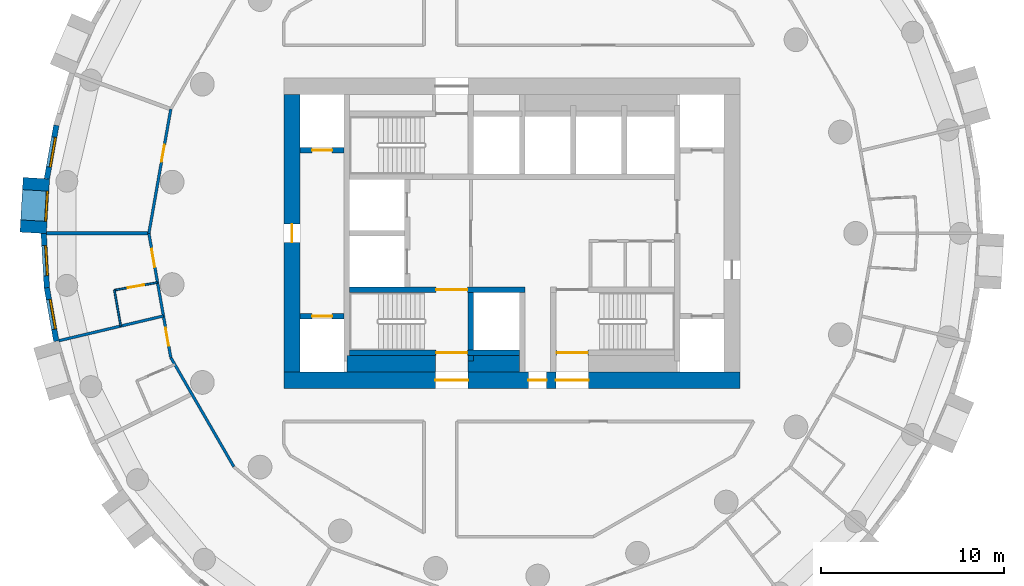
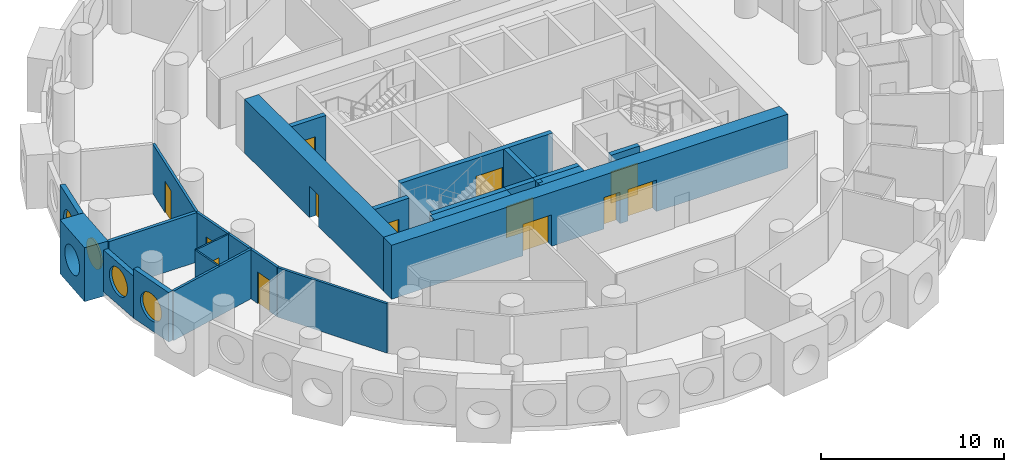
# One storey, part 3 of 9: 23 walls, 13 doors, 4 windows, 17 openings.
"""IFC4 building model written with IfcOpenShell, lengths in metres."""

from ifc_helpers import new_model, si_unit, direction, frame, frame_2d, origin, origin_2d, place, context, subcontext, project, spatial, rectangle, circle, extrude, material, layer, layer_set, type_object, element, fill, save


model = new_model("IFC4")

# Units and contexts
model_context = context("Model", 3, precision=1e-05, world=origin(), true_north=direction((0.0, 1.0)))
body_context = subcontext(model_context, "Body", "Model", "MODEL_VIEW")
ifc_project = project(units=[si_unit("LENGTHUNIT", "METRE"), si_unit("AREAUNIT", "SQUARE_METRE"), si_unit("VOLUMEUNIT", "CUBIC_METRE"), si_unit("PLANEANGLEUNIT", "RADIAN"), si_unit("MASSUNIT", "GRAM", prefix="KILO")], contexts=[model_context])

# Site, building, storey
site_placement = place(None, origin())
site = spatial("IfcSite", under=ifc_project, at=site_placement, CompositionType="ELEMENT")
building_placement = place(site_placement, origin())
building = spatial("IfcBuilding", under=site, at=building_placement, Name="Tracery Tower", CompositionType="ELEMENT")
storey_placement = place(building_placement, frame((0.0, 0.0, 190.800048828125)))
storey = spatial("IfcBuildingStorey", under=building, at=storey_placement, Name="L49", CompositionType="ELEMENT", Elevation=190.800048828125)

# Walls
ifc_material_1 = material(Name="Concrete C50/60", Category="concrete")
ifc_layer_1 = layer(ifc_material_1, 0.89990234375)
ifc_layer_set_1 = layer_set([ifc_layer_1], Name="Core strip wall 900 C50")
wall_type_1 = type_object("IfcWallType", Name="Core strip wall 900 C50", PredefinedType="SOLIDWALL", material=ifc_layer_set_1)
wall_1_placement = place(storey_placement, frame((-9.050048828125, -7.14990234375, 0.0), z_axis=(0.0, 0.0, 1.0), x_axis=(1.0, 0.0, 0.0)))
element("IfcWall", 1, at=wall_1_placement, inside=storey, type_object=wall_type_1, Name="L49 F thick S W", PredefinedType="SOLIDWALL", context=body_context, shape_type="SweptSolid", body=[
    extrude(rectangle(XDim=4.85009765625, YDim=0.89990234375, at=frame_2d((2.425048828125, 0.0))), origin(), (0.0, 0.0, 1.0), 3.300048828125),
])
wall_2_placement = place(storey_placement, frame((-2.39990234375, -7.14990234375, 0.0), z_axis=(0.0, 0.0, 1.0), x_axis=(1.0, 0.0, 0.0)))
element("IfcWall", 2, at=wall_2_placement, inside=storey, type_object=wall_type_1, Name="L49 F thick S mid", PredefinedType="SOLIDWALL", context=body_context, shape_type="SweptSolid", body=[
    extrude(rectangle(XDim=2.7998046875, YDim=0.89990234375, at=frame_2d((1.39990234375, 0.0))), origin(), (0.0, 0.0, 1.0), 3.300048828125),
])

# Wall, openings, doors
ifc_material_2 = material(Name="Concrete C50/60", Category="concrete")
ifc_layer_2 = layer(ifc_material_2, 0.89990234375)
ifc_layer_set_2 = layer_set([ifc_layer_2], Name="Core wall 900 C50")
wall_type_2 = type_object("IfcWallType", Name="Core wall 900 C50", PredefinedType="SOLIDWALL", material=ifc_layer_set_2)
wall_3_placement = place(storey_placement, frame((-12.5, -8.050048828125, 0.0), z_axis=(0.0, 0.0, 1.0), x_axis=(1.0, 0.0, 0.0)))
wall_3 = element("IfcWall", 3, at=wall_3_placement, inside=storey, type_object=wall_type_2, Name="L49 outer S", PredefinedType="SOLIDWALL", context=body_context, shape_type="SweptSolid", body=[
    extrude(rectangle(XDim=25.0, YDim=0.89990234375, at=frame_2d((12.5, 0.0))), origin(), (0.0, 0.0, 1.0), 3.599853515625),
])
opening_1_placement = place(wall_3_placement, frame((13.39990234375, 0.0, 0.0)))
opening_1 = element("IfcOpeningElement", 4, at=opening_1_placement, cuts=wall_3, Name="Opening KD16", PredefinedType="OPENING", context=body_context, shape_type="SweptSolid", body=[
    extrude(rectangle(XDim=1.0, YDim=2.10009765625, at=frame_2d((0.5, 1.050048828125))), frame((0.0, 0.449951171875, 0.0), z_axis=(0.0, -1.0, 0.0), x_axis=(1.0, 0.0, 0.0)), (0.0, 0.0, 1.0), 0.89990234375),
])
opening_2_placement = place(wall_3_placement, frame((8.300048828125, 0.0, 0.0)))
opening_2 = element("IfcOpeningElement", 5, at=opening_2_placement, cuts=wall_3, Name="Opening KD13", PredefinedType="OPENING", context=body_context, shape_type="SweptSolid", body=[
    extrude(rectangle(XDim=1.800048828125, YDim=2.10009765625, at=frame_2d((0.89990234375, 1.050048828125))), frame((0.0, 0.449951171875, 0.0), z_axis=(0.0, -1.0, 0.0), x_axis=(1.0, 0.0, 0.0)), (0.0, 0.0, 1.0), 0.89990234375),
])
opening_3_placement = place(wall_3_placement, frame((14.89990234375, 0.0, 0.0)))
opening_3 = element("IfcOpeningElement", 6, at=opening_3_placement, cuts=wall_3, Name="Opening KD13", PredefinedType="OPENING", context=body_context, shape_type="SweptSolid", body=[
    extrude(rectangle(XDim=1.800048828125, YDim=2.10009765625, at=frame_2d((0.89990234375, 1.050048828125))), frame((0.0, 0.449951171875, 0.0), z_axis=(0.0, -1.0, 0.0), x_axis=(1.0, 0.0, 0.0)), (0.0, 0.0, 1.0), 0.89990234375),
])
ifc_material_3 = material(Name="Steel fire door", Category="steel")
door_type_1 = type_object("IfcDoorType", Name="Core exit door 1000", OperationType="NOTDEFINED", PredefinedType="DOOR", material=ifc_material_3)
door_1_placement = place(opening_1_placement, origin())
door_1 = element("IfcDoor", 7, at=door_1_placement, inside=storey, type_object=door_type_1, Name="Core exit door", OperationType="SINGLE_SWING_LEFT", OverallHeight=2.10009765625, OverallWidth=1.0, PredefinedType="DOOR", context=body_context, shape_type="SweptSolid", body=[
    extrude(rectangle(XDim=1.0, YDim=2.10009765625, at=frame_2d((0.5, 1.050048828125))), frame((0.0, 0.02490234375, 0.0), z_axis=(0.0, -1.0, 0.0), x_axis=(1.0, 0.0, 0.0)), (0.0, 0.0, 1.0), 0.050048828125),
])
fill(opening_1, door_1)
ifc_material_4 = material(Name="Steel fire door", Category="steel")
door_type_2 = type_object("IfcDoorType", Name="Core exit door 1800 double", OperationType="NOTDEFINED", PredefinedType="DOOR", material=ifc_material_4)
door_2_placement = place(opening_2_placement, origin())
door_2 = element("IfcDoor", 8, at=door_2_placement, inside=storey, type_object=door_type_2, Name="Core exit door", OperationType="DOUBLE_DOOR_SINGLE_SWING", OverallHeight=2.10009765625, OverallWidth=1.800048828125, PredefinedType="DOOR", context=body_context, shape_type="SweptSolid", body=[
    extrude(rectangle(XDim=1.800048828125, YDim=2.10009765625, at=frame_2d((0.89990234375, 1.050048828125))), frame((0.0, 0.02490234375, 0.0), z_axis=(0.0, -1.0, 0.0), x_axis=(1.0, 0.0, 0.0)), (0.0, 0.0, 1.0), 0.050048828125),
])
fill(opening_2, door_2)
door_3_placement = place(opening_3_placement, origin())
door_3 = element("IfcDoor", 9, at=door_3_placement, inside=storey, type_object=door_type_2, Name="Core exit door", OperationType="DOUBLE_DOOR_SINGLE_SWING", OverallHeight=2.10009765625, OverallWidth=1.800048828125, PredefinedType="DOOR", context=body_context, shape_type="SweptSolid", body=[
    extrude(rectangle(XDim=1.800048828125, YDim=2.10009765625, at=frame_2d((0.89990234375, 1.050048828125))), frame((0.0, 0.02490234375, 0.0), z_axis=(0.0, -1.0, 0.0), x_axis=(1.0, 0.0, 0.0)), (0.0, 0.0, 1.0), 0.050048828125),
])
fill(opening_3, door_3)

# Wall, opening, door
wall_4_placement = place(storey_placement, frame((-12.050048828125, -7.60009765625, 0.0), z_axis=(0.0, 0.0, 1.0), x_axis=(0.0, 1.0, 0.0)))
wall_4 = element("IfcWall", 10, at=wall_4_placement, inside=storey, type_object=wall_type_2, Name="L49 outer W", PredefinedType="SOLIDWALL", context=body_context, shape_type="SweptSolid", body=[
    extrude(rectangle(XDim=15.2001953125, YDim=0.89990234375, at=frame_2d((7.60009765625, 0.0))), origin(), (0.0, 0.0, 1.0), 3.599853515625),
])
opening_4_placement = place(wall_4_placement, frame((7.10009765625, 0.0, 0.0)))
opening_4 = element("IfcOpeningElement", 11, at=opening_4_placement, cuts=wall_4, Name="Opening KD18", PredefinedType="OPENING", context=body_context, shape_type="SweptSolid", body=[
    extrude(rectangle(XDim=1.0, YDim=2.10009765625, at=frame_2d((0.5, 1.050048828125))), frame((0.0, 0.449951171875, 0.0), z_axis=(0.0, -1.0, 0.0), x_axis=(1.0, 0.0, 0.0)), (0.0, 0.0, 1.0), 0.89990234375),
])
door_4_placement = place(opening_4_placement, origin())
door_4 = element("IfcDoor", 12, at=door_4_placement, inside=storey, type_object=door_type_1, Name="Core exit door", OperationType="DOUBLE_DOOR_SINGLE_SWING", OverallHeight=2.10009765625, OverallWidth=1.0, PredefinedType="DOOR", context=body_context, shape_type="SweptSolid", body=[
    extrude(rectangle(XDim=1.0, YDim=2.10009765625, at=frame_2d((0.5, 1.050048828125))), frame((0.0, 0.02490234375, 0.0), z_axis=(0.0, -1.0, 0.0), x_axis=(1.0, 0.0, 0.0)), (0.0, 0.0, 1.0), 0.050048828125),
])
fill(opening_4, door_4)

# Wall, opening, window
ifc_material_5 = material(Name="Precast concrete C50/60", Category="concrete")
ifc_layer_3 = layer(ifc_material_5, 1.449951171875)
ifc_layer_set_3 = layer_set([ifc_layer_3], Name="Deep-set bay unit 3000 x 3600, slab edge 300")
wall_type_3 = type_object("IfcWallType", Name="Deep-set bay unit 3000 x 3600, slab edge 300", PredefinedType="ELEMENTEDWALL", material=ifc_layer_set_3)
wall_5_placement = place(storey_placement, frame((-26.047607421875, 3.01953125, -0.300048828125), z_axis=(0.0, 0.0, 1.0), x_axis=(-0.058106596105, -0.998310384344, 0.0)))
wall_5 = element("IfcWall", 13, at=wall_5_placement, inside=storey, type_object=wall_type_3, Name="Deep-set bay unit 27 at L49", PredefinedType="ELEMENTEDWALL", context=body_context, shape_type="SweptSolid", body=[
    extrude(rectangle(XDim=3.0, YDim=1.449951171875, at=frame_2d((1.5, 0.0))), origin(), (0.0, 0.0, 1.0), 3.60009765625),
])
opening_5_placement = place(wall_5_placement, frame((1.5, 0.0, 1.85009765625)))
opening_5 = element("IfcOpeningElement", 14, at=opening_5_placement, cuts=wall_5, Name="Opening WN1", PredefinedType="OPENING", context=body_context, shape_type="SweptSolid", body=[
    extrude(circle(Radius=0.9000244140625, at=origin_2d()), frame((0.0, 0.73486328125, 0.0), z_axis=(0.0, -1.0, 0.0), x_axis=(1.0, 0.0, 0.0)), (0.0, 0.0, 1.0), 1.469970703125),
])
ifc_material_6 = material(Name="Aluminium frame with tinted double glazing", Category="aluminium")
window_type = type_object("IfcWindowType", Name="Round window 1800", PartitioningType="SINGLE_PANEL", PredefinedType="WINDOW", material=ifc_material_6)
window_1_placement = place(opening_5_placement, origin())
window_1 = element("IfcWindow", 15, at=window_1_placement, inside=storey, type_object=window_type, Name="Round window 27 at L49", OverallHeight=1.800048828125, OverallWidth=1.800048828125, PartitioningType="SINGLE_PANEL", PredefinedType="WINDOW", context=body_context, shape_type="SweptSolid", body=[
    extrude(circle(Radius=0.9000244140625, at=origin_2d()), frame((0.0, 0.69482421875, 0.0), z_axis=(0.0, -1.0, 0.0), x_axis=(1.0, 0.0, 0.0)), (0.0, 0.0, 1.0), 0.10009765625),
])
fill(opening_5, window_1)

ifc_material_7 = material(Name="Precast concrete C50/60", Category="concrete")
ifc_layer_4 = layer(ifc_material_7, 0.300048828125)
ifc_layer_set_4 = layer_set([ifc_layer_4], Name="Facade panel 3000 x 2800")
wall_type_4 = type_object("IfcWallType", Name="Facade panel 3000 x 2800", PredefinedType="SOLIDWALL", material=ifc_layer_set_4)
wall_6_placement = place(storey_placement, frame((-25.64697265625, -0.009521484375, 0.0), z_axis=(0.0, 0.0, 1.0), x_axis=(0.058139540521, -0.998308466271, 0.0)))
wall_6 = element("IfcWall", 16, at=wall_6_placement, inside=storey, type_object=wall_type_4, Name="Facade panel 28 at L49", PredefinedType="SOLIDWALL", context=body_context, shape_type="SweptSolid", body=[
    extrude(rectangle(XDim=2.97314453125, YDim=0.300048828125, at=frame_2d((1.486572265625, 0.0))), origin(), (0.0, 0.0, 1.0), 2.800048828125),
])
opening_6_placement = place(wall_6_placement, frame((1.486328125, 0.0, 1.5498046875)))
opening_6 = element("IfcOpeningElement", 17, at=opening_6_placement, cuts=wall_6, Name="Opening WN1", PredefinedType="OPENING", context=body_context, shape_type="SweptSolid", body=[
    extrude(circle(Radius=0.9000244140625, at=origin_2d()), frame((0.0, 0.159912109375, 0.0), z_axis=(0.0, -1.0, 0.0), x_axis=(1.0, 0.0, 0.0)), (0.0, 0.0, 1.0), 0.320068359375),
])
window_2_placement = place(opening_6_placement, origin())
window_2 = element("IfcWindow", 18, at=window_2_placement, inside=storey, type_object=window_type, Name="Round window 28 at L49", OverallHeight=1.800048828125, OverallWidth=1.800048828125, PartitioningType="SINGLE_PANEL", PredefinedType="WINDOW", context=body_context, shape_type="SweptSolid", body=[
    extrude(circle(Radius=0.9000244140625, at=origin_2d()), frame((0.0, 0.1201171875, 0.0), z_axis=(0.0, -1.0, 0.0), x_axis=(1.0, 0.0, 0.0)), (0.0, 0.0, 1.0), 0.10009765625),
])
fill(opening_6, window_2)

ifc_material_8 = material(Name="Precast concrete C50/60", Category="concrete")
ifc_layer_5 = layer(ifc_material_8, 0.300048828125)
ifc_layer_set_5 = layer_set([ifc_layer_5], Name="Facade panel 3000 x 3300")
wall_type_5 = type_object("IfcWallType", Name="Facade panel 3000 x 3300", PredefinedType="SOLIDWALL", material=ifc_layer_set_5)
wall_7_placement = place(storey_placement, frame((-24.9560546875, 5.914794921875, 0.0), z_axis=(0.0, 0.0, 1.0), x_axis=(-0.173686952598, -0.984800915159, 0.0)))
wall_7 = element("IfcWall", 19, at=wall_7_placement, inside=storey, type_object=wall_type_5, Name="Facade panel 26 at L49", PredefinedType="SOLIDWALL", context=body_context, shape_type="SweptSolid", body=[
    extrude(rectangle(XDim=2.972900390625, YDim=0.300048828125, at=frame_2d((1.486328125, 0.0))), origin(), (0.0, 0.0, 1.0), 3.300048828125),
])
opening_7_placement = place(wall_7_placement, frame((1.486328125, 0.0, 1.5498046875)))
opening_7 = element("IfcOpeningElement", 20, at=opening_7_placement, cuts=wall_7, Name="Opening WN1", PredefinedType="OPENING", context=body_context, shape_type="SweptSolid", body=[
    extrude(circle(Radius=0.9000244140625, at=origin_2d()), frame((0.0, 0.159912109375, 0.0), z_axis=(0.0, -1.0, 0.0), x_axis=(1.0, 0.0, 0.0)), (0.0, 0.0, 1.0), 0.320068359375),
])
window_3_placement = place(opening_7_placement, origin())
window_3 = element("IfcWindow", 21, at=window_3_placement, inside=storey, type_object=window_type, Name="Round window 26 at L49", OverallHeight=1.800048828125, OverallWidth=1.800048828125, PartitioningType="SINGLE_PANEL", PredefinedType="WINDOW", context=body_context, shape_type="SweptSolid", body=[
    extrude(circle(Radius=0.9000244140625, at=origin_2d()), frame((0.0, 0.1201171875, 0.0), z_axis=(0.0, -1.0, 0.0), x_axis=(1.0, 0.0, 0.0)), (0.0, 0.0, 1.0), 0.10009765625),
])
fill(opening_7, window_3)

wall_8_placement = place(storey_placement, frame((-25.47412109375, -2.9775390625, 0.0), z_axis=(0.0, 0.0, 1.0), x_axis=(0.173686952598, -0.984800915159, 0.0)))
wall_8 = element("IfcWall", 22, at=wall_8_placement, inside=storey, type_object=wall_type_5, Name="Facade panel 29 at L49", PredefinedType="SOLIDWALL", context=body_context, shape_type="SweptSolid", body=[
    extrude(rectangle(XDim=2.972900390625, YDim=0.300048828125, at=frame_2d((1.486328125, 0.0))), origin(), (0.0, 0.0, 1.0), 3.300048828125),
])
opening_8_placement = place(wall_8_placement, frame((1.486328125, 0.0, 1.5498046875)))
opening_8 = element("IfcOpeningElement", 23, at=opening_8_placement, cuts=wall_8, Name="Opening WN1", PredefinedType="OPENING", context=body_context, shape_type="SweptSolid", body=[
    extrude(circle(Radius=0.9000244140625, at=origin_2d()), frame((0.0, 0.159912109375, 0.0), z_axis=(0.0, -1.0, 0.0), x_axis=(1.0, 0.0, 0.0)), (0.0, 0.0, 1.0), 0.320068359375),
])
window_4_placement = place(opening_8_placement, origin())
window_4 = element("IfcWindow", 24, at=window_4_placement, inside=storey, type_object=window_type, Name="Round window 29 at L49", OverallHeight=1.800048828125, OverallWidth=1.800048828125, PartitioningType="SINGLE_PANEL", PredefinedType="WINDOW", context=body_context, shape_type="SweptSolid", body=[
    extrude(circle(Radius=0.9000244140625, at=origin_2d()), frame((0.0, 0.1201171875, 0.0), z_axis=(0.0, -1.0, 0.0), x_axis=(1.0, 0.0, 0.0)), (0.0, 0.0, 1.0), 0.10009765625),
])
fill(opening_8, window_4)

# Wall, opening, door
ifc_material_9 = material(Name="Plasterboard on steel studs", Category="steel")
ifc_layer_6 = layer(ifc_material_9, 0.10009765625)
ifc_layer_set_6 = layer_set([ifc_layer_6], Name="Partition 100 wet wall")
wall_type_6 = type_object("IfcWallType", Name="Partition 100 wet wall", PredefinedType="PARTITIONING", material=ifc_layer_set_6)
wall_9_placement = place(storey_placement, frame((-21.77587890625, -3.111083984375, 0.0), z_axis=(0.0, 0.0, 1.0), x_axis=(0.984781509998, 0.173796943488, 0.0)))
wall_9 = element("IfcWall", 25, at=wall_9_placement, inside=storey, type_object=wall_type_6, Name="Wet wall RB7-049", PredefinedType="PARTITIONING", context=body_context, shape_type="SweptSolid", body=[
    extrude(rectangle(XDim=2.3994140625, YDim=0.10009765625, at=frame_2d((1.19970703125, 0.0))), origin(), (0.0, 0.0, 1.0), 3.300048828125),
])
opening_9_placement = place(wall_9_placement, frame((0.74951171875, 0.0, 0.0)))
opening_9 = element("IfcOpeningElement", 26, at=opening_9_placement, cuts=wall_9, Name="Opening RB7-12", PredefinedType="OPENING", context=body_context, shape_type="SweptSolid", body=[
    extrude(rectangle(XDim=0.89990234375, YDim=2.0400390625, at=frame_2d((0.449951171875, 1.02001953125))), frame((0.0, 0.050048828125, 0.0), z_axis=(0.0, -1.0, 0.0), x_axis=(1.0, 0.0, 0.0)), (0.0, 0.0, 1.0), 0.10009765625),
])
ifc_material_10 = material(Name="Timber door leaf", Category="wood")
door_type_3 = type_object("IfcDoorType", Name="Door en-suite 900", OperationType="NOTDEFINED", PredefinedType="DOOR", material=ifc_material_10)
door_5_placement = place(opening_9_placement, origin())
door_5 = element("IfcDoor", 27, at=door_5_placement, inside=storey, type_object=door_type_3, Name="En-suite door RB7-12", OperationType="SINGLE_SWING_RIGHT", OverallHeight=2.0400390625, OverallWidth=0.89990234375, PredefinedType="DOOR", context=body_context, shape_type="SweptSolid", body=[
    extrude(rectangle(XDim=0.89990234375, YDim=2.0400390625, at=frame_2d((0.449951171875, 1.02001953125))), frame((0.0, 0.02490234375, 0.0), z_axis=(0.0, -1.0, 0.0), x_axis=(1.0, 0.0, 0.0)), (0.0, 0.0, 1.0), 0.050048828125),
])
fill(opening_9, door_5)

# Walls
wall_10_placement = place(storey_placement, frame((-21.77587890625, -3.111083984375, 0.0), z_axis=(0.0, 0.0, 1.0), x_axis=(0.17360412522, -0.984815519631, 0.0)))
element("IfcWall", 28, at=wall_10_placement, inside=storey, type_object=wall_type_6, Name="Wet wall RB7-050", PredefinedType="PARTITIONING", context=body_context, shape_type="SweptSolid", body=[
    extrude(rectangle(XDim=1.998291015625, YDim=0.10009765625, at=frame_2d((0.9990234375, 0.0))), origin(), (0.0, 0.0, 1.0), 3.300048828125),
])
ifc_material_11 = material(Name="Plasterboard on steel studs", Category="steel")
ifc_layer_7 = layer(ifc_material_11, 0.14990234375)
ifc_layer_set_7 = layer_set([ifc_layer_7], Name="Partition 150 acoustic unit wall")
wall_type_7 = type_object("IfcWallType", Name="Partition 150 acoustic unit wall", PredefinedType="PARTITIONING", material=ifc_layer_set_7)
wall_11_placement = place(storey_placement, frame((-24.81005859375, -5.8798828125, 0.0), z_axis=(0.0, 0.0, 1.0), x_axis=(0.973072933953, 0.230497429938, 0.0)))
element("IfcWall", 29, at=wall_11_placement, inside=storey, type_object=wall_type_7, Name="Unit wall RB7-051", PredefinedType="PARTITIONING", context=body_context, shape_type="SweptSolid", body=[
    extrude(rectangle(XDim=5.87841796875, YDim=0.14990234375, at=frame_2d((2.939208984375, 0.0))), origin(), (0.0, 0.0, 1.0), 3.300048828125),
])

# Wall, opening, door
ifc_material_12 = material(Name="Plasterboard on steel studs", Category="steel")
ifc_layer_8 = layer(ifc_material_12, 0.14990234375)
ifc_layer_set_8 = layer_set([ifc_layer_8], Name="Partition 150 corridor wall")
wall_type_8 = type_object("IfcWallType", Name="Partition 150 corridor wall", PredefinedType="PARTITIONING", material=ifc_layer_set_8)
wall_12_placement = place(storey_placement, frame((-19.887939453125, 0.0, 0.0), z_axis=(0.0, 0.0, 1.0), x_axis=(0.173728873845, 0.98479352069, 0.0)))
wall_12 = element("IfcWall", 30, at=wall_12_placement, inside=storey, type_object=wall_type_8, Name="Corridor wall RB7-028", PredefinedType="PARTITIONING", context=body_context, shape_type="SweptSolid", body=[
    extrude(rectangle(XDim=6.906982421875, YDim=0.14990234375, at=frame_2d((3.45361328125, 0.0))), origin(), (0.0, 0.0, 1.0), 3.300048828125),
])
opening_10_placement = place(wall_12_placement, frame((3.97900390625, 0.0, 0.0)))
opening_10 = element("IfcOpeningElement", 31, at=opening_10_placement, cuts=wall_12, Name="Opening RB7-11", PredefinedType="OPENING", context=body_context, shape_type="SweptSolid", body=[
    extrude(rectangle(XDim=0.949951171875, YDim=2.10009765625, at=frame_2d((0.47509765625, 1.050048828125))), frame((0.0, 0.074951171875, 0.0), z_axis=(0.0, -1.0, 0.0), x_axis=(1.0, 0.0, 0.0)), (0.0, 0.0, 1.0), 0.14990234375),
])
ifc_material_13 = material(Name="Timber door leaf", Category="wood")
door_type_4 = type_object("IfcDoorType", Name="Door store 950", OperationType="NOTDEFINED", PredefinedType="DOOR", material=ifc_material_13)
door_6_placement = place(opening_10_placement, origin())
door_6 = element("IfcDoor", 32, at=door_6_placement, inside=storey, type_object=door_type_4, Name="Store door RB7-11", OperationType="SINGLE_SWING_RIGHT", OverallHeight=2.10009765625, OverallWidth=0.949951171875, PredefinedType="DOOR", context=body_context, shape_type="SweptSolid", body=[
    extrude(rectangle(XDim=0.949951171875, YDim=2.10009765625, at=frame_2d((0.47509765625, 1.050048828125))), frame((0.0, 0.02490234375, 0.0), z_axis=(0.0, -1.0, 0.0), x_axis=(1.0, 0.0, 0.0)), (0.0, 0.0, 1.0), 0.050048828125),
])
fill(opening_10, door_6)

# Wall, openings, doors
wall_13_placement = place(storey_placement, frame((-19.887939453125, 0.0, 0.0), z_axis=(0.0, 0.0, 1.0), x_axis=(0.173728873845, -0.98479352069, 0.0)))
wall_13 = element("IfcWall", 33, at=wall_13_placement, inside=storey, type_object=wall_type_8, Name="Corridor wall RB7-029", PredefinedType="PARTITIONING", context=body_context, shape_type="SweptSolid", body=[
    extrude(rectangle(XDim=6.906982421875, YDim=0.14990234375, at=frame_2d((3.45361328125, 0.0))), origin(), (0.0, 0.0, 1.0), 3.300048828125),
])
opening_11_placement = place(wall_13_placement, frame((0.86962890625, 0.0, 0.0)))
opening_11 = element("IfcOpeningElement", 34, at=opening_11_placement, cuts=wall_13, Name="Opening RB7-13", PredefinedType="OPENING", context=body_context, shape_type="SweptSolid", body=[
    extrude(rectangle(XDim=1.0, YDim=2.10009765625, at=frame_2d((0.5, 1.050048828125))), frame((0.0, 0.074951171875, 0.0), z_axis=(0.0, -1.0, 0.0), x_axis=(1.0, 0.0, 0.0)), (0.0, 0.0, 1.0), 0.14990234375),
])
opening_12_placement = place(wall_13_placement, frame((5.248046875, 0.0, 0.0)))
opening_12 = element("IfcOpeningElement", 35, at=opening_12_placement, cuts=wall_13, Name="Opening RB7-15", PredefinedType="OPENING", context=body_context, shape_type="SweptSolid", body=[
    extrude(rectangle(XDim=1.0, YDim=2.10009765625, at=frame_2d((0.5, 1.050048828125))), frame((0.0, 0.074951171875, 0.0), z_axis=(0.0, -1.0, 0.0), x_axis=(1.0, 0.0, 0.0)), (0.0, 0.0, 1.0), 0.14990234375),
])
ifc_material_14 = material(Name="Timber door leaf", Category="wood")
door_type_5 = type_object("IfcDoorType", Name="Door unit entrance 1000", OperationType="NOTDEFINED", PredefinedType="DOOR", material=ifc_material_14)
door_7_placement = place(opening_11_placement, origin())
door_7 = element("IfcDoor", 36, at=door_7_placement, inside=storey, type_object=door_type_5, Name="Unit entrance door RB7-13", OperationType="SINGLE_SWING_RIGHT", OverallHeight=2.10009765625, OverallWidth=1.0, PredefinedType="DOOR", context=body_context, shape_type="SweptSolid", body=[
    extrude(rectangle(XDim=1.0, YDim=2.10009765625, at=frame_2d((0.5, 1.050048828125))), frame((0.0, 0.02490234375, 0.0), z_axis=(0.0, -1.0, 0.0), x_axis=(1.0, 0.0, 0.0)), (0.0, 0.0, 1.0), 0.050048828125),
])
fill(opening_11, door_7)
door_8_placement = place(opening_12_placement, origin())
door_8 = element("IfcDoor", 37, at=door_8_placement, inside=storey, type_object=door_type_5, Name="Unit entrance door RB7-15", OperationType="SINGLE_SWING_RIGHT", OverallHeight=2.10009765625, OverallWidth=1.0, PredefinedType="DOOR", context=body_context, shape_type="SweptSolid", body=[
    extrude(rectangle(XDim=1.0, YDim=2.10009765625, at=frame_2d((0.5, 1.050048828125))), frame((0.0, 0.02490234375, 0.0), z_axis=(0.0, -1.0, 0.0), x_axis=(1.0, 0.0, 0.0)), (0.0, 0.0, 1.0), 0.050048828125),
])
fill(opening_12, door_8)

# Walls
wall_14_placement = place(storey_placement, frame((-18.68798828125, -6.802001953125, 0.0), z_axis=(0.0, 0.0, 1.0), x_axis=(0.500229307554, -0.865892972523, 0.0)))
element("IfcWall", 38, at=wall_14_placement, inside=storey, type_object=wall_type_8, Name="Corridor wall RB7-030", PredefinedType="PARTITIONING", context=body_context, shape_type="SweptSolid", body=[
    extrude(rectangle(XDim=6.906982421875, YDim=0.14990234375, at=frame_2d((3.45361328125, 0.0))), origin(), (0.0, 0.0, 1.0), 3.300048828125),
])
ifc_material_15 = material(Name="Plasterboard on steel studs", Category="steel")
ifc_layer_9 = layer(ifc_material_15, 0.199951171875)
ifc_layer_set_9 = layer_set([ifc_layer_9], Name="Partition 200 compartment wall")
wall_type_9 = type_object("IfcWallType", Name="Partition 200 compartment wall", PredefinedType="PARTITIONING", material=ifc_layer_set_9)
wall_15_placement = place(storey_placement, frame((-25.4970703125, 0.0, 0.0), z_axis=(0.0, 0.0, 1.0), x_axis=(1.0, 0.0, 0.0)))
element("IfcWall", 39, at=wall_15_placement, inside=storey, type_object=wall_type_9, Name="Compartment wall RB7-048", PredefinedType="PARTITIONING", context=body_context, shape_type="SweptSolid", body=[
    extrude(rectangle(XDim=5.609130859375, YDim=0.199951171875, at=frame_2d((2.8046875, 0.0))), origin(), (0.0, 0.0, 1.0), 3.300048828125),
])

# Wall, opening, door
ifc_material_16 = material(Name="Concrete C50/60", Category="concrete")
ifc_layer_10 = layer(ifc_material_16, 0.300048828125)
ifc_layer_set_10 = layer_set([ifc_layer_10], Name="Shaft wall 300 C50")
wall_type_10 = type_object("IfcWallType", Name="Shaft wall 300 C50", PredefinedType="SOLIDWALL", material=ifc_layer_set_10)
wall_16_placement = place(storey_placement, frame((-11.60009765625, -4.550048828125, 0.0), z_axis=(0.0, 0.0, 1.0), x_axis=(1.0, 0.0, 0.0)))
wall_16 = element("IfcWall", 40, at=wall_16_placement, inside=storey, type_object=wall_type_10, Name="L49 MR W -4.55", PredefinedType="SOLIDWALL", context=body_context, shape_type="SweptSolid", body=[
    extrude(rectangle(XDim=2.400146484375, YDim=0.300048828125, at=frame_2d((1.2001953125, 0.0))), origin(), (0.0, 0.0, 1.0), 3.300048828125),
])
opening_13_placement = place(wall_16_placement, frame((0.64990234375, 0.0, 0.0)))
opening_13 = element("IfcOpeningElement", 41, at=opening_13_placement, cuts=wall_16, Name="Opening KD50", PredefinedType="OPENING", context=body_context, shape_type="SweptSolid", body=[
    extrude(rectangle(XDim=1.10009765625, YDim=2.10009765625, at=frame_2d((0.550048828125, 1.050048828125))), frame((0.0, 0.14990234375, 0.0), z_axis=(0.0, -1.0, 0.0), x_axis=(1.0, 0.0, 0.0)), (0.0, 0.0, 1.0), 0.300048828125),
])
ifc_material_17 = material(Name="Steel fire door", Category="steel")
door_type_6 = type_object("IfcDoorType", Name="Landing door 1100", OperationType="NOTDEFINED", PredefinedType="DOOR", material=ifc_material_17)
door_9_placement = place(opening_13_placement, origin())
door_9 = element("IfcDoor", 42, at=door_9_placement, inside=storey, type_object=door_type_6, Name="Landing door MR1", OperationType="SLIDING_TO_RIGHT", OverallHeight=2.10009765625, OverallWidth=1.10009765625, PredefinedType="DOOR", context=body_context, shape_type="SweptSolid", body=[
    extrude(rectangle(XDim=1.10009765625, YDim=2.10009765625, at=frame_2d((0.550048828125, 1.050048828125))), frame((0.0, 0.02490234375, 0.0), z_axis=(0.0, -1.0, 0.0), x_axis=(1.0, 0.0, 0.0)), (0.0, 0.0, 1.0), 0.050048828125),
])
fill(opening_13, door_9)

wall_17_placement = place(storey_placement, frame((-11.60009765625, 4.550048828125, 0.0), z_axis=(0.0, 0.0, 1.0), x_axis=(1.0, 0.0, 0.0)))
wall_17 = element("IfcWall", 43, at=wall_17_placement, inside=storey, type_object=wall_type_10, Name="L49 MR W +4.55", PredefinedType="SOLIDWALL", context=body_context, shape_type="SweptSolid", body=[
    extrude(rectangle(XDim=2.400146484375, YDim=0.300048828125, at=frame_2d((1.2001953125, 0.0))), origin(), (0.0, 0.0, 1.0), 3.300048828125),
])
opening_14_placement = place(wall_17_placement, frame((0.64990234375, 0.0, 0.0)))
opening_14 = element("IfcOpeningElement", 44, at=opening_14_placement, cuts=wall_17, Name="Opening KD49", PredefinedType="OPENING", context=body_context, shape_type="SweptSolid", body=[
    extrude(rectangle(XDim=1.10009765625, YDim=2.10009765625, at=frame_2d((0.550048828125, 1.050048828125))), frame((0.0, 0.14990234375, 0.0), z_axis=(0.0, -1.0, 0.0), x_axis=(1.0, 0.0, 0.0)), (0.0, 0.0, 1.0), 0.300048828125),
])
door_10_placement = place(opening_14_placement, origin())
door_10 = element("IfcDoor", 45, at=door_10_placement, inside=storey, type_object=door_type_6, Name="Landing door MR2", OperationType="SLIDING_TO_LEFT", OverallHeight=2.10009765625, OverallWidth=1.10009765625, PredefinedType="DOOR", context=body_context, shape_type="SweptSolid", body=[
    extrude(rectangle(XDim=1.10009765625, YDim=2.10009765625, at=frame_2d((0.550048828125, 1.050048828125))), frame((0.0, 0.02490234375, 0.0), z_axis=(0.0, -1.0, 0.0), x_axis=(1.0, 0.0, 0.0)), (0.0, 0.0, 1.0), 0.050048828125),
])
fill(opening_14, door_10)

ifc_material_18 = material(Name="Concrete C50/60", Category="concrete")
ifc_layer_11 = layer(ifc_material_18, 0.300048828125)
ifc_layer_set_11 = layer_set([ifc_layer_11], Name="Stair wall 300 C50")
wall_type_11 = type_object("IfcWallType", Name="Stair wall 300 C50", PredefinedType="SOLIDWALL", material=ifc_layer_set_11)
wall_18_placement = place(storey_placement, frame((-8.89990234375, -3.10009765625, 0.0), z_axis=(0.0, 0.0, 1.0), x_axis=(1.0, 0.0, 0.0)))
wall_18 = element("IfcWall", 46, at=wall_18_placement, inside=storey, type_object=wall_type_11, Name="L49 row S", PredefinedType="SOLIDWALL", context=body_context, shape_type="SweptSolid", body=[
    extrude(rectangle(XDim=9.599853515625, YDim=0.300048828125, at=frame_2d((4.7998046875, 0.0))), origin(), (0.0, 0.0, 1.0), 3.300048828125),
])
opening_15_placement = place(wall_18_placement, frame((4.75, 0.0, 0.0)))
opening_15 = element("IfcOpeningElement", 47, at=opening_15_placement, cuts=wall_18, Name="Opening KD3", PredefinedType="OPENING", context=body_context, shape_type="SweptSolid", body=[
    extrude(rectangle(XDim=1.699951171875, YDim=2.10009765625, at=frame_2d((0.85009765625, 1.050048828125))), frame((0.0, 0.14990234375, 0.0), z_axis=(0.0, -1.0, 0.0), x_axis=(1.0, 0.0, 0.0)), (0.0, 0.0, 1.0), 0.300048828125),
])
ifc_material_19 = material(Name="Steel fire door", Category="steel")
door_type_7 = type_object("IfcDoorType", Name="Core stair door 1700 double", OperationType="NOTDEFINED", PredefinedType="DOOR", material=ifc_material_19)
door_11_placement = place(opening_15_placement, origin())
door_11 = element("IfcDoor", 48, at=door_11_placement, inside=storey, type_object=door_type_7, Name="Stair door ST1", OperationType="DOUBLE_DOOR_SINGLE_SWING", OverallHeight=2.10009765625, OverallWidth=1.699951171875, PredefinedType="DOOR", context=body_context, shape_type="SweptSolid", body=[
    extrude(rectangle(XDim=1.699951171875, YDim=2.10009765625, at=frame_2d((0.85009765625, 1.050048828125))), frame((0.0, 0.02490234375, 0.0), z_axis=(0.0, -1.0, 0.0), x_axis=(1.0, 0.0, 0.0)), (0.0, 0.0, 1.0), 0.050048828125),
])
fill(opening_15, door_11)

# Walls
wall_19_placement = place(storey_placement, frame((-2.25, -7.0, 0.0), z_axis=(0.0, 0.0, 1.0), x_axis=(0.0, 1.0, 0.0)))
element("IfcWall", 49, at=wall_19_placement, inside=storey, type_object=wall_type_11, Name="L49 ST1 E", PredefinedType="SOLIDWALL", context=body_context, shape_type="SweptSolid", body=[
    extrude(rectangle(XDim=3.75, YDim=0.300048828125, at=frame_2d((1.875, 0.0))), origin(), (0.0, 0.0, 1.0), 3.300048828125),
])
wall_20_placement = place(storey_placement, frame((-8.89990234375, -6.550048828125, 0.0), z_axis=(0.0, 0.0, 1.0), x_axis=(1.0, 0.0, 0.0)))
element("IfcWall", 50, at=wall_20_placement, inside=storey, type_object=wall_type_11, Name="L49 F stair strip S W", PredefinedType="SOLIDWALL", context=body_context, shape_type="SweptSolid", body=[
    extrude(rectangle(XDim=4.699951171875, YDim=0.300048828125, at=frame_2d((2.35009765625, 0.0))), origin(), (0.0, 0.0, 1.0), 3.300048828125),
])
wall_21_placement = place(storey_placement, frame((-2.39990234375, -6.550048828125, 0.0), z_axis=(0.0, 0.0, 1.0), x_axis=(1.0, 0.0, 0.0)))
element("IfcWall", 51, at=wall_21_placement, inside=storey, type_object=wall_type_11, Name="L49 F stair strip S mid", PredefinedType="SOLIDWALL", context=body_context, shape_type="SweptSolid", body=[
    extrude(rectangle(XDim=2.7998046875, YDim=0.300048828125, at=frame_2d((1.39990234375, 0.0))), origin(), (0.0, 0.0, 1.0), 3.300048828125),
])

# Wall, opening, door
wall_22_placement = place(storey_placement, frame((-4.199951171875, -6.550048828125, 0.0), z_axis=(0.0, 0.0, 1.0), x_axis=(1.0, 0.0, 0.0)))
wall_22 = element("IfcWall", 52, at=wall_22_placement, inside=storey, type_object=wall_type_11, Name="L49 F stair S W", PredefinedType="SOLIDWALL", context=body_context, shape_type="SweptSolid", body=[
    extrude(rectangle(XDim=1.800048828125, YDim=0.300048828125, at=frame_2d((0.89990234375, 0.0))), origin(), (0.0, 0.0, 1.0), 3.300048828125),
])
opening_16_placement = place(wall_22_placement, frame((0.050048828125, 0.0, 0.0)))
opening_16 = element("IfcOpeningElement", 53, at=opening_16_placement, cuts=wall_22, Name="Opening KD3", PredefinedType="OPENING", context=body_context, shape_type="SweptSolid", body=[
    extrude(rectangle(XDim=1.699951171875, YDim=2.10009765625, at=frame_2d((0.85009765625, 1.050048828125))), frame((0.0, 0.14990234375, 0.0), z_axis=(0.0, -1.0, 0.0), x_axis=(1.0, 0.0, 0.0)), (0.0, 0.0, 1.0), 0.300048828125),
])
door_12_placement = place(opening_16_placement, origin())
door_12 = element("IfcDoor", 54, at=door_12_placement, inside=storey, type_object=door_type_7, Name="Stair door vest", OperationType="DOUBLE_DOOR_SINGLE_SWING", OverallHeight=2.10009765625, OverallWidth=1.699951171875, PredefinedType="DOOR", context=body_context, shape_type="SweptSolid", body=[
    extrude(rectangle(XDim=1.699951171875, YDim=2.10009765625, at=frame_2d((0.85009765625, 1.050048828125))), frame((0.0, 0.02490234375, 0.0), z_axis=(0.0, -1.0, 0.0), x_axis=(1.0, 0.0, 0.0)), (0.0, 0.0, 1.0), 0.050048828125),
])
fill(opening_16, door_12)

wall_23_placement = place(storey_placement, frame((2.39990234375, -6.550048828125, 0.0), z_axis=(0.0, 0.0, 1.0), x_axis=(1.0, 0.0, 0.0)))
wall_23 = element("IfcWall", 55, at=wall_23_placement, inside=storey, type_object=wall_type_11, Name="L49 F stair S E", PredefinedType="SOLIDWALL", context=body_context, shape_type="SweptSolid", body=[
    extrude(rectangle(XDim=1.800048828125, YDim=0.300048828125, at=frame_2d((0.89990234375, 0.0))), origin(), (0.0, 0.0, 1.0), 3.300048828125),
])
opening_17_placement = place(wall_23_placement, frame((0.050048828125, 0.0, 0.0)))
opening_17 = element("IfcOpeningElement", 56, at=opening_17_placement, cuts=wall_23, Name="Opening KD3", PredefinedType="OPENING", context=body_context, shape_type="SweptSolid", body=[
    extrude(rectangle(XDim=1.699951171875, YDim=2.10009765625, at=frame_2d((0.85009765625, 1.050048828125))), frame((0.0, 0.14990234375, 0.0), z_axis=(0.0, -1.0, 0.0), x_axis=(1.0, 0.0, 0.0)), (0.0, 0.0, 1.0), 0.300048828125),
])
door_13_placement = place(opening_17_placement, origin())
door_13 = element("IfcDoor", 57, at=door_13_placement, inside=storey, type_object=door_type_7, Name="Stair door vest", OperationType="DOUBLE_DOOR_SINGLE_SWING", OverallHeight=2.10009765625, OverallWidth=1.699951171875, PredefinedType="DOOR", context=body_context, shape_type="SweptSolid", body=[
    extrude(rectangle(XDim=1.699951171875, YDim=2.10009765625, at=frame_2d((0.85009765625, 1.050048828125))), frame((0.0, 0.02490234375, 0.0), z_axis=(0.0, -1.0, 0.0), x_axis=(1.0, 0.0, 0.0)), (0.0, 0.0, 1.0), 0.050048828125),
])
fill(opening_17, door_13)

save(model, "model.ifc")
